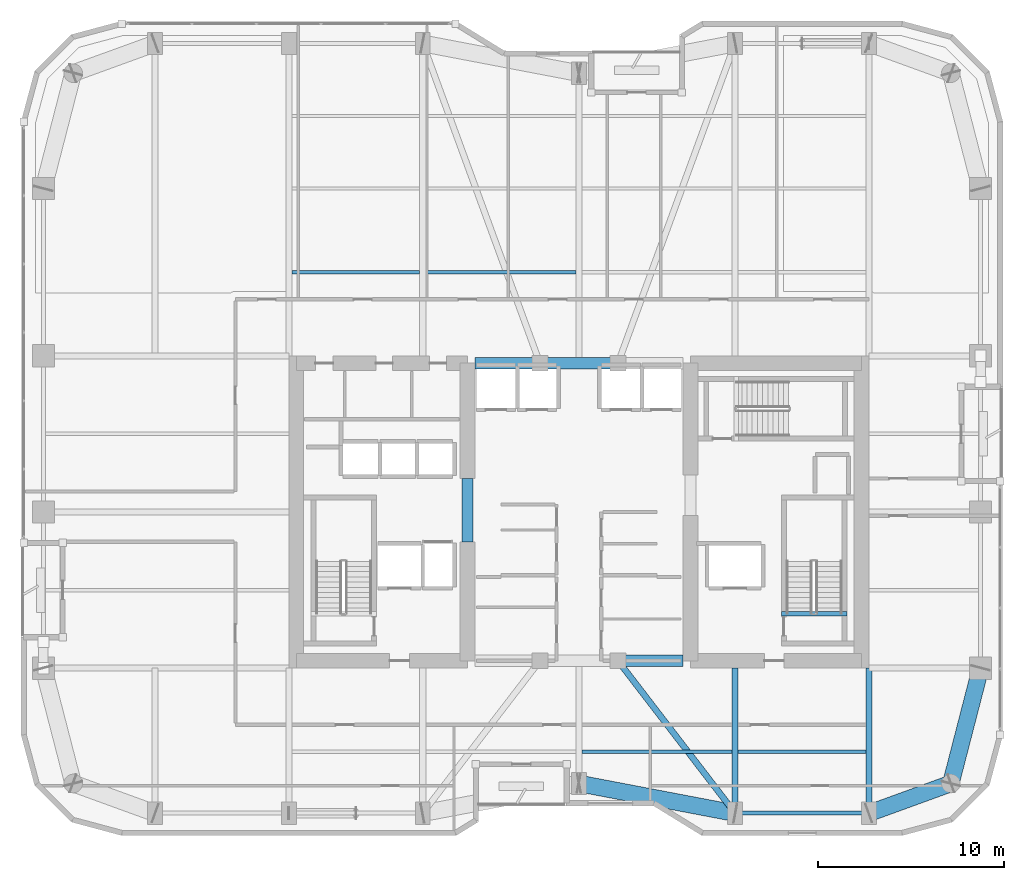
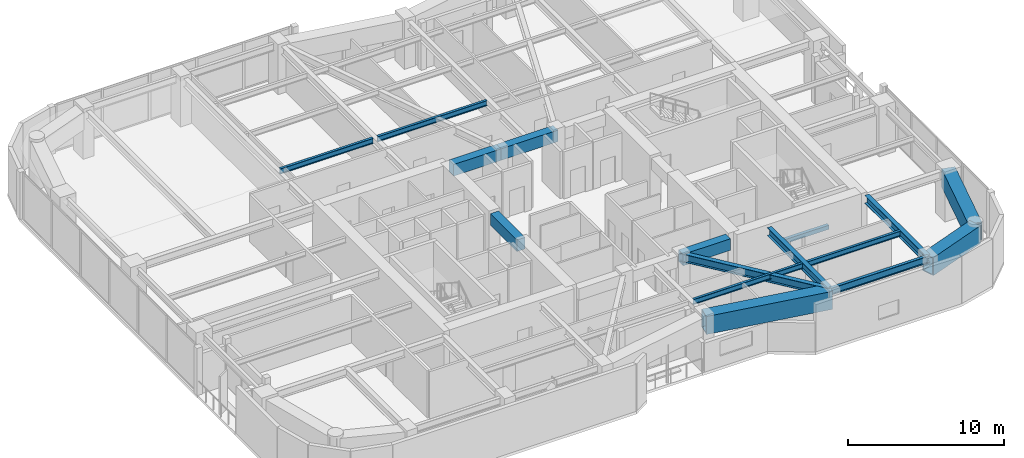
# One storey, part 8 of 30: 16 beams.
"""IFC4 building model written with IfcOpenShell, lengths in metres."""

from ifc_helpers import new_model, si_unit, direction, frame, origin, origin_2d, place, context, subcontext, project, spatial, rectangle, hollow_rectangle, i_section, extrude, material, material_profile, profile_set, type_object, element, save


model = new_model("IFC4")

# Units and contexts
model_context = context("Model", 3, precision=1e-05, world=origin(), true_north=direction((0.0, 1.0)))
body_context = subcontext(model_context, "Body", "Model", "MODEL_VIEW")
ifc_project = project(units=[si_unit("LENGTHUNIT", "METRE"), si_unit("AREAUNIT", "SQUARE_METRE"), si_unit("VOLUMEUNIT", "CUBIC_METRE"), si_unit("PLANEANGLEUNIT", "RADIAN"), si_unit("MASSUNIT", "GRAM", prefix="KILO")], contexts=[model_context])

# Site, building, storey
site_placement = place(None, origin())
site = spatial("IfcSite", under=ifc_project, at=site_placement, CompositionType="ELEMENT")
building_placement = place(site_placement, origin())
building = spatial("IfcBuilding", under=site, at=building_placement, Name="Kiyonajd Concourse Tower", CompositionType="ELEMENT")
storey_placement = place(building_placement, frame((0.0, 0.0, 174.0)))
storey = spatial("IfcBuildingStorey", under=building, at=storey_placement, Name="L44", CompositionType="ELEMENT", Elevation=174.0)

# Beams
ifc_material_1 = material(Name="Concrete C60/75", Category="concrete")
ifc_material_profile_1 = material_profile(ifc_material_1, rectangle(XDim=0.60009765625, YDim=0.89990234375, at=origin_2d()), Name="RCBM-600x900")
ifc_profile_set_1 = profile_set([ifc_material_profile_1], Name="Concrete C60/75")
beam_type_1 = type_object("IfcBeamType", Name="BM-COUP-900", PredefinedType="LINTEL", material=ifc_profile_set_1)
for number, where, z_axis, x_axis, name in (
    (1, (50.10009765625, 28.0, 3.22998046875), (1.0, 0.0, 0.0), (0.0, 1.0, 0.0), "L44 Core Coupling Beam S3"),
    (2, (42.39990234375, 44.0, 3.22998046875), (1.0, 0.0, 0.0), (0.0, 1.0, 0.0), "L44 Core Coupling Beam N1"),
):
    element("IfcBeam", number, at=place(storey_placement, frame(where, z_axis=z_axis, x_axis=x_axis)), inside=storey, type_object=beam_type_1, Name=name, PredefinedType="LINTEL", context=body_context, shape_type="SweptSolid", body=[
        extrude(rectangle(XDim=0.60009765625, YDim=0.89990234375, at=origin_2d()), origin(), (0.0, 0.0, 1.0), 3.5),
    ])
beam_1_placement = place(storey_placement, frame((45.89990234375, 44.0, 3.22998046875), z_axis=(1.0, 0.0, 0.0), x_axis=(0.0, 1.0, 0.0)))
element("IfcBeam", 3, at=beam_1_placement, inside=storey, type_object=beam_type_1, Name="L44 Core Coupling Beam N2", PredefinedType="LINTEL", context=body_context, shape_type="SweptSolid", body=[
    extrude(rectangle(XDim=0.60009765625, YDim=0.89990234375, at=origin_2d()), origin(), (0.0, 0.0, 1.0), 4.2001953125),
])
beam_2_placement = place(storey_placement, frame((42.0, 34.39990234375, 3.22998046875), z_axis=(0.0, 1.0, 0.0), x_axis=(-1.0, 0.0, 0.0)))
element("IfcBeam", 4, at=beam_2_placement, inside=storey, type_object=beam_type_1, Name="L44 West Core Throat Coupling Lintel", PredefinedType="LINTEL", context=body_context, shape_type="SweptSolid", body=[
    extrude(rectangle(XDim=0.60009765625, YDim=0.89990234375, at=origin_2d()), origin(), (0.0, 0.0, 1.0), 3.400146484375),
])
ifc_material_2 = material(Name="Steel ASTM A992 Grade 50", Category="steel")
ifc_material_profile_2 = material_profile(ifc_material_2, i_section(OverallWidth=0.180908203125, OverallDepth=0.4169921875, WebThickness=0.010986328125, FlangeThickness=0.018310546875, at=origin_2d()), Name="W410X85")
ifc_profile_set_2 = profile_set([ifc_material_profile_2], Name="Steel ASTM A992 Grade 50")
beam_type_2 = type_object("IfcBeamType", Name="BM-JST-410", PredefinedType="JOIST", material=ifc_profile_set_2)
beam_3_placement = place(storey_placement, frame((48.16357421875, 23.10009765625, 3.471435546875), z_axis=(1.0, 0.0, 0.0), x_axis=(0.0, 1.0, 0.0)))
element("IfcBeam", 5, at=beam_3_placement, inside=storey, type_object=beam_type_2, Name="L44 Secondary Floor Joist", PredefinedType="JOIST", context=body_context, shape_type="SweptSolid", body=[
    extrude(i_section(OverallWidth=0.180908203125, OverallDepth=0.4169921875, WebThickness=0.010986328125, FlangeThickness=0.018310546875, at=origin_2d()), origin(), (0.0, 0.0, 1.0), 8.072998046875),
])
for number, where, z_axis, x_axis, name in (
    (6, (56.5634765625, 23.10009765625, 3.471435546875), (1.0, 0.0, 0.0), (0.0, 1.0, 0.0), "L44 Secondary Floor Joist"),
    (7, (32.5634765625, 48.89990234375, 3.471435546875), (1.0, 0.0, 0.0), (0.0, 1.0, 0.0), "L44 Secondary Floor Joist"),
):
    element("IfcBeam", number, at=place(storey_placement, frame(where, z_axis=z_axis, x_axis=x_axis)), inside=storey, type_object=beam_type_2, Name=name, PredefinedType="JOIST", context=body_context, shape_type="SweptSolid", body=[
        extrude(i_section(OverallWidth=0.180908203125, OverallDepth=0.4169921875, WebThickness=0.010986328125, FlangeThickness=0.018310546875, at=origin_2d()), origin(), (0.0, 0.0, 1.0), 6.873046875),
    ])
beam_4_placement = place(storey_placement, frame((39.763427734375, 48.89990234375, 3.471435546875), z_axis=(1.0, 0.0, 0.0), x_axis=(0.0, 1.0, 0.0)))
element("IfcBeam", 8, at=beam_4_placement, inside=storey, type_object=beam_type_2, Name="L44 Secondary Floor Joist", PredefinedType="JOIST", context=body_context, shape_type="SweptSolid", body=[
    extrude(i_section(OverallWidth=0.180908203125, OverallDepth=0.4169921875, WebThickness=0.010986328125, FlangeThickness=0.018310546875, at=origin_2d()), origin(), (0.0, 0.0, 1.0), 8.072998046875),
])
ifc_material_3 = material(Name="Concrete C50/60", Category="concrete")
ifc_material_profile_3 = material_profile(ifc_material_3, rectangle(XDim=0.239990234375, YDim=0.320068359375, at=origin_2d()), Name="RCBM-240x320")
ifc_profile_set_3 = profile_set([ifc_material_profile_3], Name="Concrete C50/60")
beam_type_3 = type_object("IfcBeamType", Name="BM-LNT-250", PredefinedType="LINTEL", material=ifc_profile_set_3)
beam_5_placement = place(storey_placement, frame((58.889892578125, 30.530029296875, -0.159912109375), z_axis=(1.0, 0.0, 0.0), x_axis=(0.0, 1.0, 0.0)))
element("IfcBeam", 9, at=beam_5_placement, inside=storey, type_object=beam_type_3, Name="L44 Stair ST2 Threshold Support Beam", PredefinedType="LINTEL", context=body_context, shape_type="SweptSolid", body=[
    extrude(rectangle(XDim=0.239990234375, YDim=0.320068359375, at=origin_2d()), origin(), (0.0, 0.0, 1.0), 3.52001953125),
])
ifc_material_profile_4 = material_profile(ifc_material_2, i_section(OverallWidth=0.214111328125, OverallDepth=0.549072265625, WebThickness=0.0146484375, FlangeThickness=0.023681640625, at=origin_2d()), Name="W530X138")
ifc_profile_set_4 = profile_set([ifc_material_profile_4], Name="Steel ASTM A992 Grade 50")
beam_type_4 = type_object("IfcBeamType", Name="BM-SPAN-530A", PredefinedType="SPANDREL", material=ifc_profile_set_4)
beam_6_placement = place(storey_placement, frame((56.39990234375, 19.800048828125, 3.405517578125), z_axis=(1.0, 0.0, 0.0), x_axis=(0.0, 1.0, 0.0)))
element("IfcBeam", 10, at=beam_6_placement, inside=storey, type_object=beam_type_4, Name="L44 Perimeter Bundled Tube Spandrel", PredefinedType="SPANDREL", context=body_context, shape_type="SweptSolid", body=[
    extrude(i_section(OverallWidth=0.214111328125, OverallDepth=0.549072265625, WebThickness=0.0146484375, FlangeThickness=0.023681640625, at=origin_2d()), origin(), (0.0, 0.0, 1.0), 7.2001953125),
])
ifc_material_profile_5 = material_profile(ifc_material_2, i_section(OverallWidth=0.326904296875, OverallDepth=0.6220703125, WebThickness=0.015380859375, FlangeThickness=0.0244140625, at=origin_2d()), Name="W610X195")
ifc_profile_set_5 = profile_set([ifc_material_profile_5], Name="Steel ASTM A992 Grade 50")
beam_type_5 = type_object("IfcBeamType", Name="BM-TWR-610A", PredefinedType="BEAM", material=ifc_profile_set_5)
beam_7_placement = place(storey_placement, frame((50.10009765625, 28.0, 3.368896484375), z_axis=(0.609233709922, -0.792990722956, 0.0), x_axis=(0.792990722956, 0.609233709922, 0.0)))
element("IfcBeam", 11, at=beam_7_placement, inside=storey, type_object=beam_type_5, Name="L44 Core Tie Girder", PredefinedType="BEAM", context=body_context, shape_type="SweptSolid", body=[
    extrude(i_section(OverallWidth=0.326904296875, OverallDepth=0.6220703125, WebThickness=0.015380859375, FlangeThickness=0.0244140625, at=origin_2d()), origin(), (0.0, 0.0, 1.0), 10.340576171875),
])
for number, where, z_axis, x_axis, name in (
    (12, (56.39990234375, 19.800048828125, 3.368896484375), (0.0, 1.0, 0.0), (-1.0, 0.0, 0.0), "L44 South Lease Girder"),
    (13, (63.60009765625, 19.800048828125, 3.368896484375), (0.0, 1.0, 0.0), (-1.0, 0.0, 0.0), "L44 South Lease Girder"),
):
    element("IfcBeam", number, at=place(storey_placement, frame(where, z_axis=z_axis, x_axis=x_axis)), inside=storey, type_object=beam_type_5, Name=name, PredefinedType="BEAM", context=body_context, shape_type="SweptSolid", body=[
        extrude(i_section(OverallWidth=0.326904296875, OverallDepth=0.6220703125, WebThickness=0.015380859375, FlangeThickness=0.0244140625, at=origin_2d()), origin(), (0.0, 0.0, 1.0), 7.800048828125),
    ])
ifc_material_4 = material(Name="Steel ASTM A572 Grade 50", Category="steel")
ifc_material_profile_6 = material_profile(ifc_material_4, hollow_rectangle(XDim=0.89990234375, YDim=1.39990234375, WallThickness=0.070068359375, at=origin_2d()), Name="BOX-1400x900x70")
ifc_profile_set_6 = profile_set([ifc_material_profile_6], Name="Steel ASTM A572 Grade 50")
beam_type_6 = type_object("IfcBeamType", Name="BM-XFER-1400", PredefinedType="BEAM", material=ifc_profile_set_6)
beam_8_placement = place(storey_placement, frame((48.0, 21.39990234375, 2.97998046875), z_axis=(0.982341315253, -0.187097675953, 0.0), x_axis=(0.187097675953, 0.982341315253, 0.0)))
element("IfcBeam", 14, at=beam_8_placement, inside=storey, type_object=beam_type_6, Name="L44 Perimeter Bundled Tube Spandrel", PredefinedType="BEAM", context=body_context, shape_type="SweptSolid", body=[
    extrude(hollow_rectangle(XDim=0.89990234375, YDim=1.39990234375, WallThickness=0.070068359375, at=origin_2d()), origin(), (0.0, 0.0, 1.0), 8.55078125),
])
beam_9_placement = place(storey_placement, frame((63.60009765625, 19.800048828125, 2.97998046875), z_axis=(0.939801036019, 0.341722127901, 0.0), x_axis=(-0.341722127901, 0.939801036019, 0.0)))
element("IfcBeam", 15, at=beam_9_placement, inside=storey, type_object=beam_type_6, Name="L44 Perimeter Bundled Tube Spandrel", PredefinedType="BEAM", context=body_context, shape_type="SweptSolid", body=[
    extrude(hollow_rectangle(XDim=0.89990234375, YDim=1.39990234375, WallThickness=0.070068359375, at=origin_2d()), origin(), (0.0, 0.0, 1.0), 4.681640625),
])
beam_10_placement = place(storey_placement, frame((68.0, 21.39990234375, 2.97998046875), z_axis=(0.249884937687, 0.968275538221, 0.0), x_axis=(-0.968275538221, 0.249884937687, 0.0)))
element("IfcBeam", 16, at=beam_10_placement, inside=storey, type_object=beam_type_6, Name="L44 Perimeter Bundled Tube Spandrel", PredefinedType="BEAM", context=body_context, shape_type="SweptSolid", body=[
    extrude(hollow_rectangle(XDim=0.89990234375, YDim=1.39990234375, WallThickness=0.070068359375, at=origin_2d()), origin(), (0.0, 0.0, 1.0), 6.4033203125),
])

save(model, "model.ifc")
